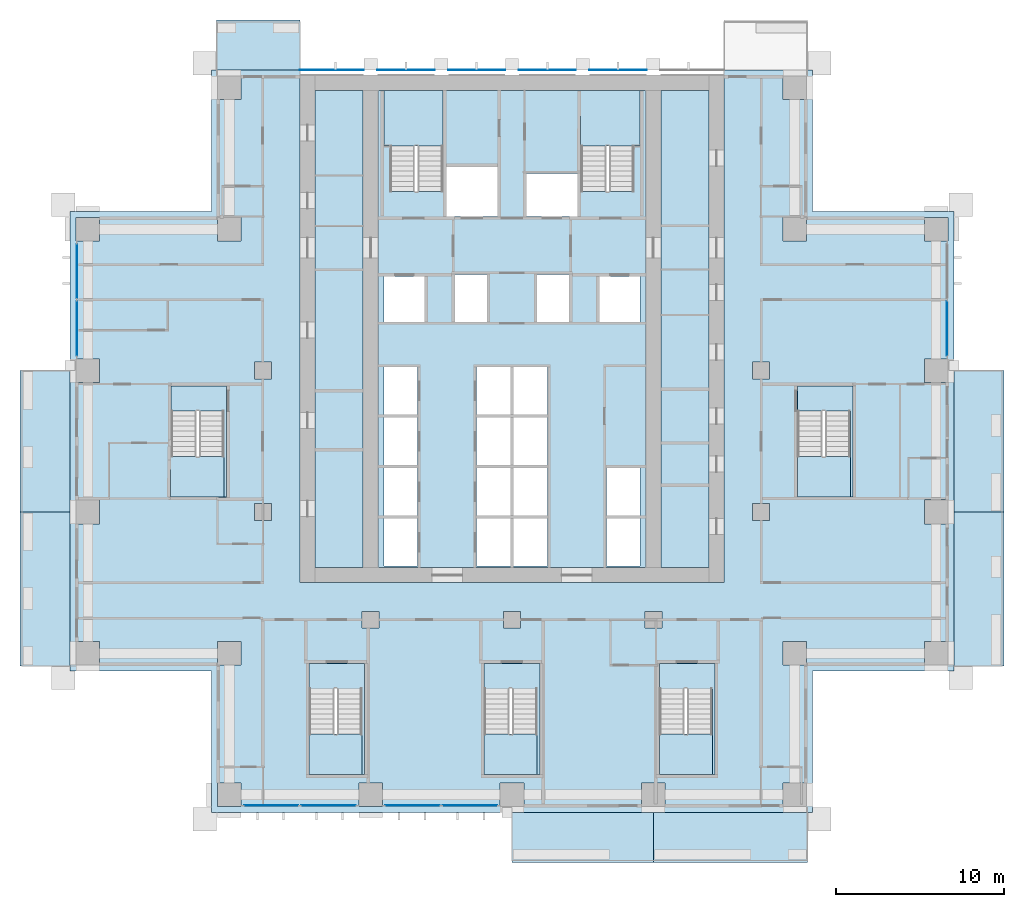
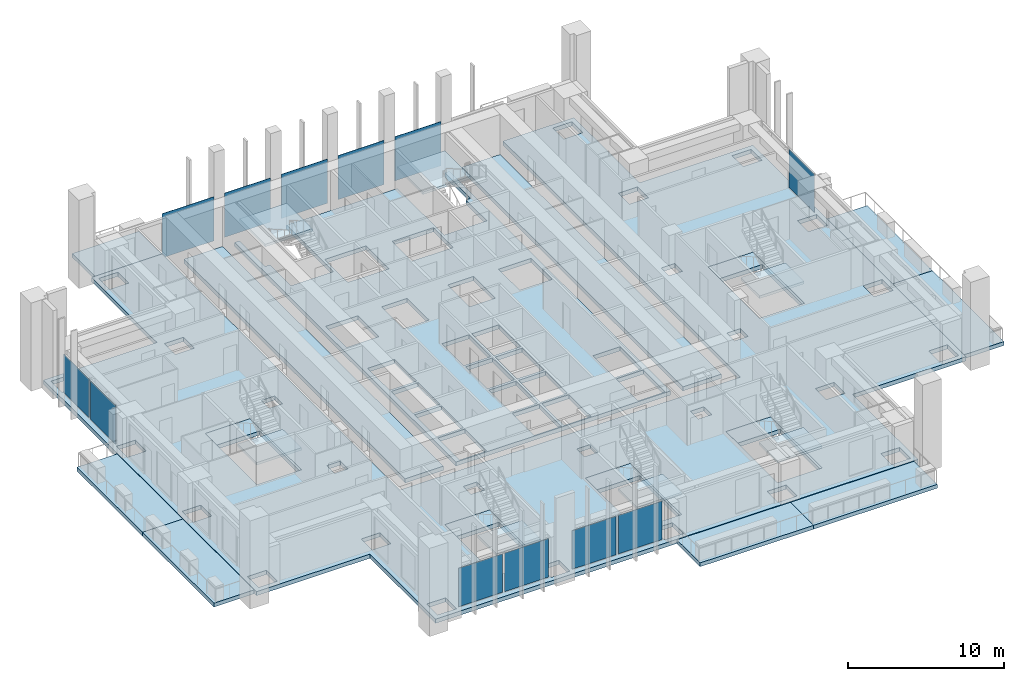
# One storey, part 7 of 19: 23 slabs, 12 plates, 11 elements without a shape of their own.
"""IFC4 building model written with IfcOpenShell, lengths in metres."""

from ifc_helpers import new_model, si_unit, direction, frame, origin, origin_2d, place, context, subcontext, project, spatial, polyline, rectangle, outline, extrude, material, layer, layer_set, type_object, element, aggregate, save


model = new_model("IFC4")

# Units and contexts
model_context = context("Model", 3, precision=1e-05, world=origin(), true_north=direction((0.0, 1.0)))
body_context = subcontext(model_context, "Body", "Model", "MODEL_VIEW")
ifc_project = project(units=[si_unit("LENGTHUNIT", "METRE"), si_unit("AREAUNIT", "SQUARE_METRE"), si_unit("VOLUMEUNIT", "CUBIC_METRE"), si_unit("PLANEANGLEUNIT", "RADIAN"), si_unit("MASSUNIT", "GRAM", prefix="KILO")], contexts=[model_context])

# Site, building, storey
site_placement = place(None, origin())
site = spatial("IfcSite", under=ifc_project, at=site_placement, CompositionType="ELEMENT")
building_placement = place(site_placement, origin())
building = spatial("IfcBuilding", under=site, at=building_placement, Name="Vermilion Ogive Tower", CompositionType="ELEMENT")
storey_placement = place(building_placement, frame((0.0, 0.0, 48.300048828125)))
storey = spatial("IfcBuildingStorey", under=building, at=storey_placement, Name="L10", CompositionType="ELEMENT", Elevation=48.300048828125)

# Slabs
ifc_material_1 = material(Name="Concrete B40", Category="concrete")
ifc_layer_1 = layer(ifc_material_1, 0.300048828125)
ifc_layer_set_1 = layer_set([ifc_layer_1], Name="Balcony slab")
slab_type_1 = type_object("IfcSlabType", Name="Balcony slab", PredefinedType="FLOOR", material=ifc_layer_set_1)
slab_1_placement = place(storey_placement, frame((0.0, 0.0, -0.340087890625)))
element("IfcSlab", 1, at=slab_1_placement, inside=storey, type_object=slab_type_1, Name="Balcony slab S03", PredefinedType="FLOOR", context=body_context, shape_type="SweptSolid", body=[
    extrude(outline(polyline([(0.0, -25.030029296875), (8.39990234375, -25.030029296875), (8.39990234375, -22.050048828125), (0.0, -22.050048828125), (0.0, -25.030029296875)])), origin(), (0.0, 0.0, 1.0), 0.300048828125),
])
slab_2_placement = place(storey_placement, frame((0.0, 0.0, -0.340087890625)))
element("IfcSlab", 2, at=slab_2_placement, inside=storey, type_object=slab_type_1, Name="Balcony slab S04", PredefinedType="FLOOR", context=body_context, shape_type="SweptSolid", body=[
    extrude(outline(polyline([(8.39990234375, -25.030029296875), (17.550048828125, -25.030029296875), (17.550048828125, -22.050048828125), (8.39990234375, -22.050048828125), (8.39990234375, -25.030029296875)])), origin(), (0.0, 0.0, 1.0), 0.300048828125),
])
slab_3_placement = place(storey_placement, frame((0.0, 0.0, -0.340087890625)))
element("IfcSlab", 3, at=slab_3_placement, inside=storey, type_object=slab_type_1, Name="Balcony slab E01", PredefinedType="FLOOR", context=body_context, shape_type="SweptSolid", body=[
    extrude(outline(polyline([(29.22998046875, -13.35009765625), (29.22998046875, -4.199951171875), (26.25, -4.199951171875), (26.25, -13.35009765625), (29.22998046875, -13.35009765625)])), origin(), (0.0, 0.0, 1.0), 0.300048828125),
])
slab_4_placement = place(storey_placement, frame((0.0, 0.0, -0.340087890625)))
element("IfcSlab", 4, at=slab_4_placement, inside=storey, type_object=slab_type_1, Name="Balcony slab E02", PredefinedType="FLOOR", context=body_context, shape_type="SweptSolid", body=[
    extrude(outline(polyline([(29.22998046875, -4.199951171875), (29.22998046875, 4.199951171875), (26.25, 4.199951171875), (26.25, -4.199951171875), (29.22998046875, -4.199951171875)])), origin(), (0.0, 0.0, 1.0), 0.300048828125),
])
slab_5_placement = place(storey_placement, frame((0.0, 0.0, -0.340087890625)))
element("IfcSlab", 5, at=slab_5_placement, inside=storey, type_object=slab_type_1, Name="Balcony slab N201", PredefinedType="FLOOR", context=body_context, shape_type="SweptSolid", body=[
    extrude(outline(polyline([(-12.60009765625, 25.030029296875), (-17.550048828125, 25.030029296875), (-17.550048828125, 22.050048828125), (-12.60009765625, 22.050048828125), (-12.60009765625, 25.030029296875)])), origin(), (0.0, 0.0, 1.0), 0.300048828125),
])
slab_6_placement = place(storey_placement, frame((0.0, 0.0, -0.340087890625)))
element("IfcSlab", 6, at=slab_6_placement, inside=storey, type_object=slab_type_1, Name="Balcony slab W02", PredefinedType="FLOOR", context=body_context, shape_type="SweptSolid", body=[
    extrude(outline(polyline([(-29.22998046875, 4.199951171875), (-29.22998046875, -4.199951171875), (-26.25, -4.199951171875), (-26.25, 4.199951171875), (-29.22998046875, 4.199951171875)])), origin(), (0.0, 0.0, 1.0), 0.300048828125),
])
slab_7_placement = place(storey_placement, frame((0.0, 0.0, -0.340087890625)))
element("IfcSlab", 7, at=slab_7_placement, inside=storey, type_object=slab_type_1, Name="Balcony slab W03", PredefinedType="FLOOR", context=body_context, shape_type="SweptSolid", body=[
    extrude(outline(polyline([(-29.22998046875, -4.199951171875), (-29.22998046875, -13.35009765625), (-26.25, -13.35009765625), (-26.25, -4.199951171875), (-29.22998046875, -4.199951171875)])), origin(), (0.0, 0.0, 1.0), 0.300048828125),
])

# Curtain wall, plates
ifc_material_2 = material(Name="Low-iron laminated glazing in aluminium frame", Category="aluminium")
curtain_wall_type = type_object("IfcCurtainWallType", Name="Curtain wall CW7", PredefinedType="NOTDEFINED", material=ifc_material_2)
curtain_wall_1_placement = place(storey_placement, origin())
curtain_wall_1 = element("IfcCurtainWall", 8, at=curtain_wall_1_placement, inside=storey, type_object=curtain_wall_type, Name="Glazed skin S1", PredefinedType="NOTDEFINED")
ifc_material_3 = material(Name="Low-iron laminated glazing in aluminium frame", Category="aluminium")
ifc_layer_2 = layer(ifc_material_3, 0.031982421875)
ifc_layer_set_2 = layer_set([ifc_layer_2], Name="CW7 glazing panel 32")
plate_type_1 = type_object("IfcPlateType", Name="CW7 glazing panel 32", PredefinedType="CURTAIN_PANEL", material=ifc_layer_set_2)
plate_1_placement = place(storey_placement, frame((-14.304931640625, -21.64990234375, 0.06005859375), z_axis=(0.0, 0.0, 1.0), x_axis=(1.0, 0.0, 0.0)))
plate_1 = element("IfcPlate", 9, at=plate_1_placement, type_object=plate_type_1, Name="CW7-S1 panel 1.1", PredefinedType="CURTAIN_PANEL", context=body_context, shape_type="SweptSolid", body=[
    extrude(rectangle(XDim=3.22998046875, YDim=0.031982421875, at=origin_2d()), origin(), (0.0, 0.0, 1.0), 3.010009765625),
])
plate_2_placement = place(storey_placement, frame((-10.89501953125, -21.64990234375, 0.06005859375), z_axis=(0.0, 0.0, 1.0), x_axis=(1.0, 0.0, 0.0)))
plate_2 = element("IfcPlate", 10, at=plate_2_placement, type_object=plate_type_1, Name="CW7-S1 panel 2.1", PredefinedType="CURTAIN_PANEL", context=body_context, shape_type="SweptSolid", body=[
    extrude(rectangle(XDim=3.22998046875, YDim=0.031982421875, at=origin_2d()), origin(), (0.0, 0.0, 1.0), 3.010009765625),
])
aggregate(curtain_wall_1, [plate_1, plate_2])

curtain_wall_2_placement = place(storey_placement, origin())
curtain_wall_2 = element("IfcCurtainWall", 11, at=curtain_wall_2_placement, inside=storey, type_object=curtain_wall_type, Name="Glazed skin S2", PredefinedType="NOTDEFINED")
plate_3_placement = place(storey_placement, frame((-5.905029296875, -21.64990234375, 0.06005859375), z_axis=(0.0, 0.0, 1.0), x_axis=(1.0, 0.0, 0.0)))
plate_3 = element("IfcPlate", 12, at=plate_3_placement, type_object=plate_type_1, Name="CW7-S2 panel 1.1", PredefinedType="CURTAIN_PANEL", context=body_context, shape_type="SweptSolid", body=[
    extrude(rectangle(XDim=3.22998046875, YDim=0.031982421875, at=origin_2d()), origin(), (0.0, 0.0, 1.0), 3.010009765625),
])
plate_4_placement = place(storey_placement, frame((-2.4951171875, -21.64990234375, 0.06005859375), z_axis=(0.0, 0.0, 1.0), x_axis=(1.0, 0.0, 0.0)))
plate_4 = element("IfcPlate", 13, at=plate_4_placement, type_object=plate_type_1, Name="CW7-S2 panel 2.1", PredefinedType="CURTAIN_PANEL", context=body_context, shape_type="SweptSolid", body=[
    extrude(rectangle(XDim=3.22998046875, YDim=0.031982421875, at=origin_2d()), origin(), (0.0, 0.0, 1.0), 3.010009765625),
])
aggregate(curtain_wall_2, [plate_3, plate_4])

# Curtain wall, plate
curtain_wall_3_placement = place(storey_placement, origin())
curtain_wall_3 = element("IfcCurtainWall", 14, at=curtain_wall_3_placement, inside=storey, type_object=curtain_wall_type, Name="Glazed skin E3", PredefinedType="NOTDEFINED")
plate_5_placement = place(storey_placement, frame((25.85009765625, 6.695068359375, 0.06005859375), z_axis=(0.0, 0.0, 1.0), x_axis=(0.0, 1.0, 0.0)))
plate_5 = element("IfcPlate", 15, at=plate_5_placement, type_object=plate_type_1, Name="CW7-E3 panel 1.1", PredefinedType="CURTAIN_PANEL", context=body_context, shape_type="SweptSolid", body=[
    extrude(rectangle(XDim=3.22998046875, YDim=0.031982421875, at=origin_2d()), origin(), (0.0, 0.0, 1.0), 3.010009765625),
])
aggregate(curtain_wall_3, [plate_5])

# Curtain wall, plates
curtain_wall_4_placement = place(storey_placement, origin())
curtain_wall_4 = element("IfcCurtainWall", 16, at=curtain_wall_4_placement, inside=storey, type_object=curtain_wall_type, Name="Glazed skin W1", PredefinedType="NOTDEFINED")
plate_6_placement = place(storey_placement, frame((-25.85009765625, 10.10498046875, 0.06005859375), z_axis=(0.0, 0.0, 1.0), x_axis=(0.0, -1.0, 0.0)))
plate_6 = element("IfcPlate", 17, at=plate_6_placement, type_object=plate_type_1, Name="CW7-W1 panel 1.1", PredefinedType="CURTAIN_PANEL", context=body_context, shape_type="SweptSolid", body=[
    extrude(rectangle(XDim=3.22998046875, YDim=0.031982421875, at=origin_2d()), origin(), (0.0, 0.0, 1.0), 3.010009765625),
])
plate_7_placement = place(storey_placement, frame((-25.85009765625, 6.695068359375, 0.06005859375), z_axis=(0.0, 0.0, 1.0), x_axis=(0.0, -1.0, 0.0)))
plate_7 = element("IfcPlate", 18, at=plate_7_placement, type_object=plate_type_1, Name="CW7-W1 panel 2.1", PredefinedType="CURTAIN_PANEL", context=body_context, shape_type="SweptSolid", body=[
    extrude(rectangle(XDim=3.22998046875, YDim=0.031982421875, at=origin_2d()), origin(), (0.0, 0.0, 1.0), 3.010009765625),
])
aggregate(curtain_wall_4, [plate_6, plate_7])

# Slabs
ifc_material_4 = material(Name="Concrete B40", Category="concrete")
ifc_layer_3 = layer(ifc_material_4, 0.320068359375)
ifc_layer_set_3 = layer_set([ifc_layer_3], Name="Core floor slab 320 B40")
slab_type_2 = type_object("IfcSlabType", Name="Core floor slab 320 B40", PredefinedType="FLOOR", material=ifc_layer_set_3)
slab_8_placement = place(storey_placement, frame((0.0, 0.0, -0.320068359375)))
element("IfcSlab", 19, at=slab_8_placement, inside=storey, type_object=slab_type_2, Name="L10-CK-FS1", PredefinedType="FLOOR", context=body_context, shape_type="SweptSolid", body=[
    extrude(outline(polyline([(-8.85400390625, -7.49609375), (-11.696044921875, -7.49609375), (-11.696044921875, 20.845947265625), (-8.85400390625, 20.845947265625), (-8.85400390625, -7.49609375)])), origin(), (0.0, 0.0, 1.0), 0.320068359375),
])
slab_9_placement = place(storey_placement, frame((0.0, 0.0, -0.320068359375)))
element("IfcSlab", 20, at=slab_9_placement, inside=storey, type_object=slab_type_2, Name="L10-CK-FS2", PredefinedType="FLOOR", context=body_context, shape_type="SweptSolid", body=[
    extrude(outline(polyline([(5.75, 14.85009765625), (5.60009765625, 14.85009765625), (5.60009765625, 14.85205078125), (4.10009765625, 14.85205078125), (4.10009765625, 17.550048828125), (4.074951171875, 17.550048828125), (4.074951171875, 20.845947265625), (-4.10009765625, 20.845947265625), (-4.10009765625, 14.85205078125), (-5.60009765625, 14.85205078125), (-5.60009765625, 14.85009765625), (-5.75, 14.85009765625), (-5.75, 14.85205078125), (-7.25, 14.85205078125), (-7.25, 17.550048828125), (-7.60009765625, 17.550048828125), (-7.60009765625, 20.845947265625), (-7.946044921875, 20.845947265625), (-7.946044921875, -7.49609375), (7.946044921875, -7.49609375), (7.946044921875, 20.845947265625), (7.60009765625, 20.845947265625), (7.60009765625, 17.550048828125), (7.25, 17.550048828125), (7.25, 14.85205078125), (5.75, 14.85205078125), (5.75, 14.85009765625)]), holes=[polyline([(-7.60009765625, -4.60009765625), (-5.60009765625, -4.60009765625), (-5.60009765625, -7.39990234375), (-7.60009765625, -7.39990234375), (-7.60009765625, -4.60009765625)]), polyline([(-2.10009765625, -4.60009765625), (-0.10009765625, -4.60009765625), (-0.10009765625, -7.39990234375), (-2.10009765625, -7.39990234375), (-2.10009765625, -4.60009765625)]), polyline([(-7.60009765625, -4.39990234375), (-7.60009765625, -1.60009765625), (-5.60009765625, -1.60009765625), (-5.60009765625, -4.39990234375), (-7.60009765625, -4.39990234375)]), polyline([(-2.10009765625, -1.60009765625), (-0.10009765625, -1.60009765625), (-0.10009765625, -4.39990234375), (-2.10009765625, -4.39990234375), (-2.10009765625, -1.60009765625)]), polyline([(-7.60009765625, -1.39990234375), (-7.60009765625, 1.39990234375), (-5.60009765625, 1.39990234375), (-5.60009765625, -1.39990234375), (-7.60009765625, -1.39990234375)]), polyline([(-2.10009765625, 1.39990234375), (-0.10009765625, 1.39990234375), (-0.10009765625, -1.39990234375), (-2.10009765625, -1.39990234375), (-2.10009765625, 1.39990234375)]), polyline([(-7.60009765625, 4.39990234375), (-5.60009765625, 4.39990234375), (-5.60009765625, 1.60009765625), (-7.60009765625, 1.60009765625), (-7.60009765625, 4.39990234375)]), polyline([(-2.10009765625, 4.39990234375), (-0.10009765625, 4.39990234375), (-0.10009765625, 1.60009765625), (-2.10009765625, 1.60009765625), (-2.10009765625, 4.39990234375)]), polyline([(-7.60009765625, 9.800048828125), (-5.199951171875, 9.800048828125), (-5.199951171875, 7.10009765625), (-7.60009765625, 7.10009765625), (-7.60009765625, 9.800048828125)]), polyline([(-3.39990234375, 9.89990234375), (-1.5, 9.89990234375), (-1.5, 7.10009765625), (-3.39990234375, 7.10009765625), (-3.39990234375, 9.89990234375)]), polyline([(-3.89990234375, 16.300048828125), (-0.85009765625, 16.300048828125), (-0.85009765625, 13.35009765625), (-3.89990234375, 13.35009765625), (-3.89990234375, 16.300048828125)]), polyline([(0.10009765625, -4.60009765625), (2.10009765625, -4.60009765625), (2.10009765625, -7.39990234375), (0.10009765625, -7.39990234375), (0.10009765625, -4.60009765625)]), polyline([(5.60009765625, -4.60009765625), (7.60009765625, -4.60009765625), (7.60009765625, -7.39990234375), (5.60009765625, -7.39990234375), (5.60009765625, -4.60009765625)]), polyline([(0.10009765625, -1.60009765625), (2.10009765625, -1.60009765625), (2.10009765625, -4.39990234375), (0.10009765625, -4.39990234375), (0.10009765625, -1.60009765625)]), polyline([(5.60009765625, -1.60009765625), (7.60009765625, -1.60009765625), (7.60009765625, -4.39990234375), (5.60009765625, -4.39990234375), (5.60009765625, -1.60009765625)]), polyline([(0.10009765625, 1.39990234375), (2.10009765625, 1.39990234375), (2.10009765625, -1.39990234375), (0.10009765625, -1.39990234375), (0.10009765625, 1.39990234375)]), polyline([(0.10009765625, 4.39990234375), (2.10009765625, 4.39990234375), (2.10009765625, 1.60009765625), (0.10009765625, 1.60009765625), (0.10009765625, 4.39990234375)]), polyline([(5.199951171875, 9.800048828125), (7.60009765625, 9.800048828125), (7.60009765625, 7.10009765625), (5.199951171875, 7.10009765625), (5.199951171875, 9.800048828125)]), polyline([(1.5, 9.89990234375), (3.39990234375, 9.89990234375), (3.39990234375, 7.10009765625), (1.5, 7.10009765625), (1.5, 9.89990234375)]), polyline([(0.85009765625, 15.89990234375), (3.89990234375, 15.89990234375), (3.89990234375, 13.35009765625), (0.85009765625, 13.35009765625), (0.85009765625, 15.89990234375)])]), origin(), (0.0, 0.0, 1.0), 0.320068359375),
])
slab_10_placement = place(storey_placement, frame((0.0, 0.0, -0.320068359375)))
element("IfcSlab", 21, at=slab_10_placement, inside=storey, type_object=slab_type_2, Name="L10-CK-FS3", PredefinedType="FLOOR", context=body_context, shape_type="SweptSolid", body=[
    extrude(outline(polyline([(8.85400390625, 20.845947265625), (11.696044921875, 20.845947265625), (11.696044921875, -7.49609375), (8.85400390625, -7.49609375), (8.85400390625, 20.845947265625)])), origin(), (0.0, 0.0, 1.0), 0.320068359375),
])
slab_11_placement = place(storey_placement, frame((0.0, 0.0, -0.320068359375)))
element("IfcSlab", 22, at=slab_11_placement, inside=storey, type_object=slab_type_2, Name="L10-SF-ST3-1", PredefinedType="FLOOR", context=body_context, shape_type="SweptSolid", body=[
    extrude(outline(polyline([(-12.050048828125, -13.199951171875), (-12.050048828125, -14.701904296875), (-10.550048828125, -14.701904296875), (-10.550048828125, -14.699951171875), (-10.39990234375, -14.699951171875), (-10.39990234375, -14.701904296875), (-8.89990234375, -14.701904296875), (-8.89990234375, -19.800048828125), (-8.75, -19.800048828125), (-8.75, -13.199951171875), (-12.050048828125, -13.199951171875)])), origin(), (0.0, 0.0, 1.0), 0.320068359375),
])
slab_12_placement = place(storey_placement, frame((0.0, 0.0, -0.320068359375)))
element("IfcSlab", 23, at=slab_12_placement, inside=storey, type_object=slab_type_2, Name="L10-SF-ST4-1", PredefinedType="FLOOR", context=body_context, shape_type="SweptSolid", body=[
    extrude(outline(polyline([(-1.64990234375, -13.199951171875), (-1.64990234375, -14.701904296875), (-0.14990234375, -14.701904296875), (-0.14990234375, -14.699951171875), (0.0, -14.699951171875), (0.0, -14.701904296875), (1.5, -14.701904296875), (1.5, -19.800048828125), (1.64990234375, -19.800048828125), (1.64990234375, -13.199951171875), (-1.64990234375, -13.199951171875)])), origin(), (0.0, 0.0, 1.0), 0.320068359375),
])
slab_13_placement = place(storey_placement, frame((0.0, 0.0, -0.320068359375)))
element("IfcSlab", 24, at=slab_13_placement, inside=storey, type_object=slab_type_2, Name="L10-SF-ST5-1", PredefinedType="FLOOR", context=body_context, shape_type="SweptSolid", body=[
    extrude(outline(polyline([(8.75, -13.199951171875), (8.75, -14.701904296875), (10.25, -14.701904296875), (10.25, -14.699951171875), (10.39990234375, -14.699951171875), (10.39990234375, -14.701904296875), (11.89990234375, -14.701904296875), (11.89990234375, -19.800048828125), (12.050048828125, -19.800048828125), (12.050048828125, -13.199951171875), (8.75, -13.199951171875)])), origin(), (0.0, 0.0, 1.0), 0.320068359375),
])
slab_14_placement = place(storey_placement, frame((0.0, 0.0, -0.320068359375)))
element("IfcSlab", 25, at=slab_14_placement, inside=storey, type_object=slab_type_2, Name="L10-SF-ST8-1", PredefinedType="FLOOR", context=body_context, shape_type="SweptSolid", body=[
    extrude(outline(polyline([(16.949951171875, 3.300048828125), (16.949951171875, 1.798095703125), (18.449951171875, 1.798095703125), (18.449951171875, 1.800048828125), (18.60009765625, 1.800048828125), (18.60009765625, 1.798095703125), (20.10009765625, 1.798095703125), (20.10009765625, -3.300048828125), (20.25, -3.300048828125), (20.25, 3.300048828125), (16.949951171875, 3.300048828125)])), origin(), (0.0, 0.0, 1.0), 0.320068359375),
])
slab_15_placement = place(storey_placement, frame((0.0, 0.0, -0.320068359375)))
element("IfcSlab", 26, at=slab_15_placement, inside=storey, type_object=slab_type_2, Name="L10-SF-ST9-1", PredefinedType="FLOOR", context=body_context, shape_type="SweptSolid", body=[
    extrude(outline(polyline([(-20.25, 3.300048828125), (-20.25, 1.798095703125), (-18.75, 1.798095703125), (-18.75, 1.800048828125), (-18.60009765625, 1.800048828125), (-18.60009765625, 1.798095703125), (-17.10009765625, 1.798095703125), (-17.10009765625, -3.300048828125), (-16.949951171875, -3.300048828125), (-16.949951171875, 3.300048828125), (-20.25, 3.300048828125)])), origin(), (0.0, 0.0, 1.0), 0.320068359375),
])

# Plates
ifc_material_5 = material(Name="Low-iron laminated glazing in aluminium frame", Category="aluminium")
ifc_layer_4 = layer(ifc_material_5, 0.031982421875)
ifc_layer_set_4 = layer_set([ifc_layer_4], Name="Glazed rainscreen sheet 32")
plate_type_2 = type_object("IfcPlateType", Name="Glazed rainscreen sheet 32", PredefinedType="SHEET", material=ifc_layer_set_4)
plate_8_placement = place(storey_placement, frame((-10.7099609375, 22.06591796875, -0.31982421875), z_axis=(0.0, 0.0, 1.0), x_axis=(1.0, 0.0, 0.0)))
element("IfcPlate", 27, at=plate_8_placement, inside=storey, type_object=plate_type_2, Name="Glazed rainscreen sheet N1", PredefinedType="SHEET", context=body_context, shape_type="SweptSolid", body=[
    extrude(rectangle(XDim=3.820068359375, YDim=0.031982421875, at=origin_2d()), origin(), (0.0, 0.0, 1.0), 3.449951171875),
])
for number, where, z_axis, x_axis, name in (
    (28, (-6.300048828125, 22.06591796875, -0.31982421875), (0.0, 0.0, 1.0), (1.0, 0.0, 0.0), "Glazed rainscreen sheet N2"),
    (29, (-2.10009765625, 22.06591796875, -0.31982421875), (0.0, 0.0, 1.0), (1.0, 0.0, 0.0), "Glazed rainscreen sheet N3"),
    (30, (2.10009765625, 22.06591796875, -0.31982421875), (0.0, 0.0, 1.0), (1.0, 0.0, 0.0), "Glazed rainscreen sheet N4"),
    (31, (6.300048828125, 22.06591796875, -0.31982421875), (0.0, 0.0, 1.0), (1.0, 0.0, 0.0), "Glazed rainscreen sheet N5"),
):
    element("IfcPlate", number, at=place(storey_placement, frame(where, z_axis=z_axis, x_axis=x_axis)), inside=storey, type_object=plate_type_2, Name=name, PredefinedType="SHEET", context=body_context, shape_type="SweptSolid", body=[
        extrude(rectangle(XDim=3.39990234375, YDim=0.031982421875, at=origin_2d()), origin(), (0.0, 0.0, 1.0), 3.449951171875),
    ])

# Slab
ifc_material_6 = material(Name="Concrete B45", Category="concrete")
ifc_layer_5 = layer(ifc_material_6, 0.320068359375)
ifc_layer_set_5 = layer_set([ifc_layer_5], Name="Post-tensioned flat plate 320 B45")
slab_type_3 = type_object("IfcSlabType", Name="Post-tensioned flat plate 320 B45", PredefinedType="FLOOR", material=ifc_layer_set_5)
slab_16_placement = place(storey_placement, frame((0.0, 0.0, -0.320068359375)))
element("IfcSlab", 32, at=slab_16_placement, inside=storey, type_object=slab_type_3, Name="L10-SL-1", PredefinedType="FLOOR", context=body_context, shape_type="SweptSolid", body=[
    extrude(outline(polyline([(-26.25, -13.64990234375), (-17.85009765625, -13.64990234375), (-17.85009765625, -22.050048828125), (17.85009765625, -22.050048828125), (17.85009765625, -13.64990234375), (26.25, -13.64990234375), (26.25, 13.64990234375), (17.85009765625, 13.64990234375), (17.85009765625, 22.050048828125), (12.60009765625, 22.050048828125), (12.60009765625, -8.39990234375), (-12.60009765625, -8.39990234375), (-12.60009765625, 22.050048828125), (-17.85009765625, 22.050048828125), (-17.85009765625, 13.64990234375), (-26.25, 13.64990234375), (-26.25, -13.64990234375)]), holes=[polyline([(25.89990234375, -3.5), (25.89990234375, -4.89990234375), (24.5, -4.89990234375), (24.5, -3.5), (25.89990234375, -3.5)]), polyline([(25.89990234375, -11.89990234375), (25.89990234375, -13.300048828125), (24.5, -13.300048828125), (24.5, -11.89990234375), (25.89990234375, -11.89990234375)]), polyline([(25.89990234375, 11.89990234375), (24.5, 11.89990234375), (24.5, 13.300048828125), (25.89990234375, 13.300048828125), (25.89990234375, 11.89990234375)]), polyline([(25.89990234375, 3.5), (24.5, 3.5), (24.5, 4.89990234375), (25.89990234375, 4.89990234375), (25.89990234375, 3.5)]), polyline([(20.25, -3.2998046875), (20.25, -3.300048828125), (16.949951171875, -3.300048828125), (16.949951171875, 3.300048828125), (20.25, 3.300048828125), (20.25, -0.89990234375), (20.275146484375, -0.89990234375), (20.275146484375, -3.2998046875), (20.25, -3.2998046875)]), polyline([(17.5, -11.89990234375), (17.5, -13.300048828125), (16.10009765625, -13.300048828125), (16.10009765625, -11.89990234375), (17.5, -11.89990234375)]), polyline([(17.5, 20.300048828125), (16.10009765625, 20.300048828125), (16.10009765625, 21.699951171875), (17.5, 21.699951171875), (17.5, 20.300048828125)]), polyline([(17.5, -20.300048828125), (17.5, -21.699951171875), (16.10009765625, -21.699951171875), (16.10009765625, -20.300048828125), (17.5, -20.300048828125)]), polyline([(17.5, 13.300048828125), (17.5, 11.89990234375), (16.10009765625, 11.89990234375), (16.10009765625, 13.300048828125), (17.5, 13.300048828125)]), polyline([(15.300048828125, 4.699951171875), (15.300048828125, 3.699951171875), (14.300048828125, 3.699951171875), (14.300048828125, 4.699951171875), (15.300048828125, 4.699951171875)]), polyline([(15.300048828125, -4.699951171875), (14.300048828125, -4.699951171875), (14.300048828125, -3.699951171875), (15.300048828125, -3.699951171875), (15.300048828125, -4.699951171875)]), polyline([(12.050048828125, -13.199951171875), (12.050048828125, -19.800048828125), (8.75, -19.800048828125), (8.75, -13.199951171875), (12.050048828125, -13.199951171875)]), polyline([(9.10009765625, -20.300048828125), (9.10009765625, -21.699951171875), (7.699951171875, -21.699951171875), (7.699951171875, -20.300048828125), (9.10009765625, -20.300048828125)]), polyline([(8.89990234375, -11.10009765625), (7.89990234375, -11.10009765625), (7.89990234375, -10.10009765625), (8.89990234375, -10.10009765625), (8.89990234375, -11.10009765625)]), polyline([(1.64990234375, -13.199951171875), (1.64990234375, -19.800048828125), (-1.64990234375, -19.800048828125), (-1.64990234375, -13.199951171875), (1.64990234375, -13.199951171875)]), polyline([(0.699951171875, -20.300048828125), (0.699951171875, -21.699951171875), (-0.699951171875, -21.699951171875), (-0.699951171875, -20.300048828125), (0.699951171875, -20.300048828125)]), polyline([(0.5, -10.10009765625), (0.5, -11.10009765625), (-0.5, -11.10009765625), (-0.5, -10.10009765625), (0.5, -10.10009765625)]), polyline([(-7.699951171875, -20.300048828125), (-7.699951171875, -21.699951171875), (-9.10009765625, -21.699951171875), (-9.10009765625, -20.300048828125), (-7.699951171875, -20.300048828125)]), polyline([(-7.89990234375, -10.10009765625), (-7.89990234375, -11.10009765625), (-8.89990234375, -11.10009765625), (-8.89990234375, -10.10009765625), (-7.89990234375, -10.10009765625)]), polyline([(-8.75, -13.199951171875), (-8.75, -19.800048828125), (-12.050048828125, -19.800048828125), (-12.050048828125, -13.199951171875), (-8.75, -13.199951171875)]), polyline([(-14.300048828125, 4.699951171875), (-14.300048828125, 3.699951171875), (-15.300048828125, 3.699951171875), (-15.300048828125, 4.699951171875), (-14.300048828125, 4.699951171875)]), polyline([(-14.300048828125, -4.699951171875), (-15.300048828125, -4.699951171875), (-15.300048828125, -3.699951171875), (-14.300048828125, -3.699951171875), (-14.300048828125, -4.699951171875)]), polyline([(-16.10009765625, 13.300048828125), (-16.10009765625, 11.89990234375), (-17.5, 11.89990234375), (-17.5, 13.300048828125), (-16.10009765625, 13.300048828125)]), polyline([(-16.10009765625, -11.89990234375), (-16.10009765625, -13.300048828125), (-17.5, -13.300048828125), (-17.5, -11.89990234375), (-16.10009765625, -11.89990234375)]), polyline([(-16.10009765625, -20.300048828125), (-16.10009765625, -21.699951171875), (-17.5, -21.699951171875), (-17.5, -20.300048828125), (-16.10009765625, -20.300048828125)]), polyline([(-16.10009765625, 20.300048828125), (-17.5, 20.300048828125), (-17.5, 21.699951171875), (-16.10009765625, 21.699951171875), (-16.10009765625, 20.300048828125)]), polyline([(-16.949951171875, 3.300048828125), (-16.949951171875, -3.300048828125), (-20.25, -3.300048828125), (-20.25, 3.300048828125), (-16.949951171875, 3.300048828125)]), polyline([(-24.5, 3.5), (-25.89990234375, 3.5), (-25.89990234375, 4.89990234375), (-24.5, 4.89990234375), (-24.5, 3.5)]), polyline([(-24.5, 13.300048828125), (-24.5, 11.89990234375), (-25.89990234375, 11.89990234375), (-25.89990234375, 13.300048828125), (-24.5, 13.300048828125)]), polyline([(-24.5, -3.5), (-24.5, -4.89990234375), (-25.89990234375, -4.89990234375), (-25.89990234375, -3.5), (-24.5, -3.5)]), polyline([(-24.5, -11.89990234375), (-24.5, -13.300048828125), (-25.89990234375, -13.300048828125), (-25.89990234375, -11.89990234375), (-24.5, -11.89990234375)])]), origin(), (0.0, 0.0, 1.0), 0.320068359375),
])

# Stair, slab
ifc_material_7 = material(Name="Concrete B40", Category="concrete")
stair_type = type_object("IfcStairType", Name="Exit stair 1500", PredefinedType="HALF_TURN_STAIR", material=ifc_material_7)
stair_1_placement = place(storey_placement, origin())
stair_1 = element("IfcStair", 33, at=stair_1_placement, inside=storey, type_object=stair_type, Name="L10 Exit Stair ST1", PredefinedType="HALF_TURN_STAIR")
ifc_material_8 = material(Name="Concrete B40", Category="concrete")
ifc_layer_6 = layer(ifc_material_8, 0.199951171875)
ifc_layer_set_6 = layer_set([ifc_layer_6], Name="Stair landing 200")
slab_type_4 = type_object("IfcSlabType", Name="Stair landing 200", PredefinedType="LANDING", material=ifc_layer_set_6)
slab_17_placement = place(storey_placement, frame((0.0, 0.0, 1.52490234375)))
slab_17 = element("IfcSlab", 34, at=slab_17_placement, type_object=slab_type_4, Name="ST1 landing 1", PredefinedType="LANDING", context=body_context, shape_type="SweptSolid", body=[
    extrude(outline(polyline([(-7.60009765625, 17.550048828125), (-7.25, 17.550048828125), (-7.25, 17.548095703125), (-5.75, 17.548095703125), (-5.75, 17.550048828125), (-5.60009765625, 17.550048828125), (-5.60009765625, 17.548095703125), (-4.10009765625, 17.548095703125), (-4.10009765625, 20.85009765625), (-7.60009765625, 20.85009765625), (-7.60009765625, 17.550048828125)])), origin(), (0.0, 0.0, 1.0), 0.199951171875),
])
aggregate(stair_1, [slab_17])

stair_2_placement = place(storey_placement, origin())
stair_2 = element("IfcStair", 35, at=stair_2_placement, inside=storey, type_object=stair_type, Name="L10 Exit Stair ST2", PredefinedType="HALF_TURN_STAIR")
slab_18_placement = place(storey_placement, frame((0.0, 0.0, 1.52490234375)))
slab_18 = element("IfcSlab", 36, at=slab_18_placement, type_object=slab_type_4, Name="ST2 landing 1", PredefinedType="LANDING", context=body_context, shape_type="SweptSolid", body=[
    extrude(outline(polyline([(5.60009765625, 17.550048828125), (5.75, 17.550048828125), (5.75, 17.548095703125), (7.25, 17.548095703125), (7.25, 17.550048828125), (7.60009765625, 17.550048828125), (7.60009765625, 20.85009765625), (4.074951171875, 20.85009765625), (4.074951171875, 17.550048828125), (4.10009765625, 17.550048828125), (4.10009765625, 17.548095703125), (5.60009765625, 17.548095703125), (5.60009765625, 17.550048828125)])), origin(), (0.0, 0.0, 1.0), 0.199951171875),
])
aggregate(stair_2, [slab_18])

stair_3_placement = place(storey_placement, origin())
stair_3 = element("IfcStair", 37, at=stair_3_placement, inside=storey, type_object=stair_type, Name="L10 Exit Stair ST3", PredefinedType="HALF_TURN_STAIR")
slab_19_placement = place(storey_placement, frame((0.0, 0.0, 1.52490234375)))
slab_19 = element("IfcSlab", 38, at=slab_19_placement, type_object=slab_type_4, Name="ST3 landing 1", PredefinedType="LANDING", context=body_context, shape_type="SweptSolid", body=[
    extrude(outline(polyline([(-8.75, -17.39990234375), (-8.89990234375, -17.39990234375), (-8.89990234375, -17.39794921875), (-10.39990234375, -17.39794921875), (-10.39990234375, -17.39990234375), (-10.550048828125, -17.39990234375), (-10.550048828125, -17.39794921875), (-12.050048828125, -17.39794921875), (-12.050048828125, -17.402099609375), (-12.0498046875, -17.402099609375), (-12.0498046875, -19.7998046875), (-8.75, -19.7998046875), (-8.75, -17.39990234375)])), origin(), (0.0, 0.0, 1.0), 0.199951171875),
])
aggregate(stair_3, [slab_19])

stair_4_placement = place(storey_placement, origin())
stair_4 = element("IfcStair", 39, at=stair_4_placement, inside=storey, type_object=stair_type, Name="L10 Exit Stair ST4", PredefinedType="HALF_TURN_STAIR")
slab_20_placement = place(storey_placement, frame((0.0, 0.0, 1.52490234375)))
slab_20 = element("IfcSlab", 40, at=slab_20_placement, type_object=slab_type_4, Name="ST4 landing 1", PredefinedType="LANDING", context=body_context, shape_type="SweptSolid", body=[
    extrude(outline(polyline([(1.64990234375, -17.39990234375), (1.5, -17.39990234375), (1.5, -17.39794921875), (0.0, -17.39794921875), (0.0, -17.39990234375), (-0.14990234375, -17.39990234375), (-0.14990234375, -17.39794921875), (-1.64990234375, -17.39794921875), (-1.64990234375, -19.7998046875), (1.64990234375, -19.7998046875), (1.64990234375, -17.39990234375)])), origin(), (0.0, 0.0, 1.0), 0.199951171875),
])
aggregate(stair_4, [slab_20])

stair_5_placement = place(storey_placement, origin())
stair_5 = element("IfcStair", 41, at=stair_5_placement, inside=storey, type_object=stair_type, Name="L10 Exit Stair ST5", PredefinedType="HALF_TURN_STAIR")
slab_21_placement = place(storey_placement, frame((0.0, 0.0, 1.52490234375)))
slab_21 = element("IfcSlab", 42, at=slab_21_placement, type_object=slab_type_4, Name="ST5 landing 1", PredefinedType="LANDING", context=body_context, shape_type="SweptSolid", body=[
    extrude(outline(polyline([(12.0498046875, -17.39990234375), (11.89990234375, -17.39990234375), (11.89990234375, -17.39794921875), (10.39990234375, -17.39794921875), (10.39990234375, -17.39990234375), (10.25, -17.39990234375), (10.25, -17.39794921875), (8.75, -17.39794921875), (8.75, -17.39990234375), (8.75, -17.39990234375), (8.75, -19.7998046875), (12.0498046875, -19.7998046875), (12.0498046875, -17.39990234375)])), origin(), (0.0, 0.0, 1.0), 0.199951171875),
])
aggregate(stair_5, [slab_21])

stair_6_placement = place(storey_placement, origin())
stair_6 = element("IfcStair", 43, at=stair_6_placement, inside=storey, type_object=stair_type, Name="L10 Exit Stair ST8", PredefinedType="HALF_TURN_STAIR")
slab_22_placement = place(storey_placement, frame((0.0, 0.0, 1.52490234375)))
slab_22 = element("IfcSlab", 44, at=slab_22_placement, type_object=slab_type_4, Name="ST8 landing 1", PredefinedType="LANDING", context=body_context, shape_type="SweptSolid", body=[
    extrude(outline(polyline([(20.25, -0.89990234375), (20.10009765625, -0.89990234375), (20.10009765625, -0.89794921875), (18.60009765625, -0.89794921875), (18.60009765625, -0.89990234375), (18.449951171875, -0.89990234375), (18.449951171875, -0.89794921875), (16.949951171875, -0.89794921875), (16.949951171875, -0.902099609375), (16.9501953125, -0.902099609375), (16.9501953125, -3.2998046875), (20.25, -3.2998046875), (20.25, -0.89990234375)])), origin(), (0.0, 0.0, 1.0), 0.199951171875),
])
aggregate(stair_6, [slab_22])

stair_7_placement = place(storey_placement, origin())
stair_7 = element("IfcStair", 45, at=stair_7_placement, inside=storey, type_object=stair_type, Name="L10 Exit Stair ST9", PredefinedType="HALF_TURN_STAIR")
slab_23_placement = place(storey_placement, frame((0.0, 0.0, 1.52490234375)))
slab_23 = element("IfcSlab", 46, at=slab_23_placement, type_object=slab_type_4, Name="ST9 landing 1", PredefinedType="LANDING", context=body_context, shape_type="SweptSolid", body=[
    extrude(outline(polyline([(-16.9501953125, -0.89990234375), (-17.10009765625, -0.89990234375), (-17.10009765625, -0.89794921875), (-18.60009765625, -0.89794921875), (-18.60009765625, -0.89990234375), (-18.75, -0.89990234375), (-18.75, -0.89794921875), (-20.25, -0.89794921875), (-20.25, -0.89990234375), (-20.275146484375, -0.89990234375), (-20.275146484375, -3.2998046875), (-16.9501953125, -3.2998046875), (-16.9501953125, -0.89990234375)])), origin(), (0.0, 0.0, 1.0), 0.199951171875),
])
aggregate(stair_7, [slab_23])

save(model, "model.ifc")
